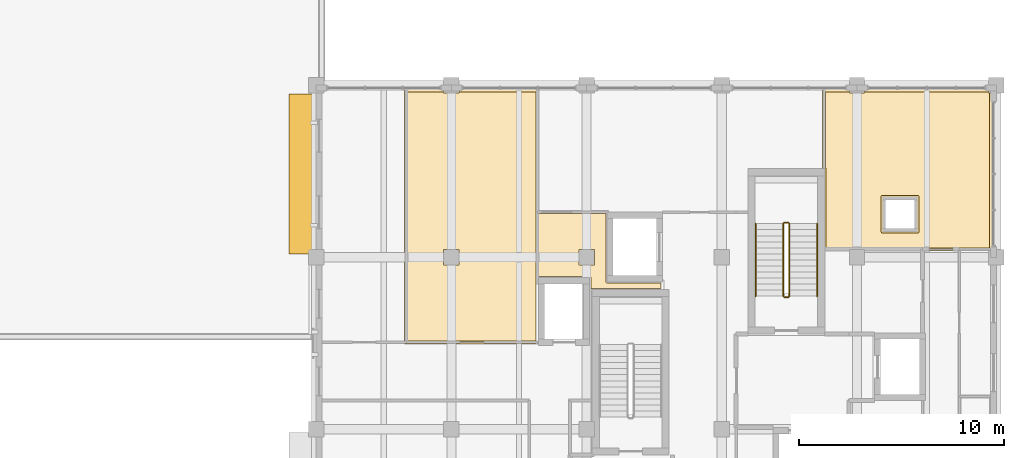
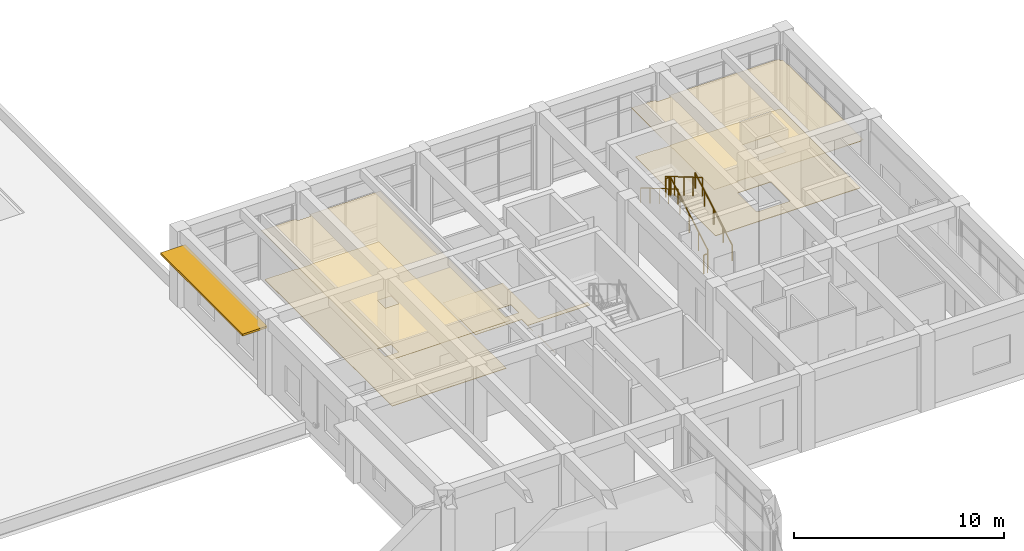
# One storey, part 50 of 50: 6 railings, 5 coverings, 1 shading device.
"""IFC4 building model written with IfcOpenShell, lengths in metres."""

from ifc_helpers import new_model, si_unit, direction, frame, origin, origin_2d, place, context, subcontext, project, spatial, polyline, rectangle, circle, outline, extrude, material, layer, layer_set, type_object, element, save


model = new_model("IFC4")

# Units and contexts
model_context = context("Model", 3, precision=1e-05, world=origin(), true_north=direction((0.0, 1.0)))
body_context = subcontext(model_context, "Body", "Model", "MODEL_VIEW")
ifc_project = project(units=[si_unit("LENGTHUNIT", "METRE"), si_unit("AREAUNIT", "SQUARE_METRE"), si_unit("VOLUMEUNIT", "CUBIC_METRE"), si_unit("PLANEANGLEUNIT", "RADIAN"), si_unit("MASSUNIT", "GRAM", prefix="KILO")], contexts=[model_context])

# Site, building, storey
site_placement = place(None, origin())
site = spatial("IfcSite", under=ifc_project, at=site_placement, CompositionType="ELEMENT")
building_placement = place(site_placement, origin())
building = spatial("IfcBuilding", under=site, at=building_placement, Name="Kolvaren Faculty of Natural Sciences", CompositionType="ELEMENT")
storey_placement = place(building_placement, frame((0.0, 0.0, 15.0)))
storey = spatial("IfcBuildingStorey", under=building, at=storey_placement, Name="L03", CompositionType="ELEMENT", Elevation=15.0)

# Coverings
ifc_material_1 = material(Name="Perforated mineral-fibre acoustic suspended ceiling tile")
ifc_layer_1 = layer(ifc_material_1, 0.02490234375)
ifc_layer_set_1 = layer_set([ifc_layer_1], Name="Perforated mineral-fibre acoustic suspended ceiling tile")
covering_type_1 = type_object("IfcCoveringType", Name="AcousticSuspendedCeiling_25", PredefinedType="CEILING", material=ifc_layer_set_1)
covering_1_placement = place(storey_placement, frame((0.0, 0.0, 2.824951171875)))
element("IfcCovering", 1, at=covering_1_placement, inside=storey, type_object=covering_type_1, Name="L03 L03 Quantitative Modelling Office acoustic ceiling", PredefinedType="CEILING", context=body_context, shape_type="SweptSolid", body=[
    extrude(outline(polyline([(145.02490234375, 83.97998046875), (145.02490234375, 83.824951171875), (145.77490234375, 83.824951171875), (145.77490234375, 83.97998046875), (149.679931640625, 83.97998046875), (149.679931640625, 71.570068359375), (143.1201171875, 71.570068359375), (143.1201171875, 83.97998046875), (145.02490234375, 83.97998046875)]), holes=[polyline([(145.02490234375, 76.175048828125), (145.02490234375, 75.425048828125), (145.77490234375, 75.425048828125), (145.77490234375, 76.175048828125), (145.02490234375, 76.175048828125)])]), origin(), (0.0, 0.0, 1.0), 0.025146484375),
])
covering_2_placement = place(storey_placement, frame((0.0, 0.0, 2.824951171875)))
element("IfcCovering", 2, at=covering_2_placement, inside=storey, type_object=covering_type_1, Name="L03 L03 Senior Researcher Office acoustic ceiling", PredefinedType="CEILING", context=body_context, shape_type="SweptSolid", body=[
    extrude(outline(polyline([(163.544921875, 80.044921875), (163.52001953125, 80.044921875), (163.52001953125, 83.97998046875), (164.824951171875, 83.97998046875), (164.824951171875, 83.824951171875), (165.574951171875, 83.824951171875), (165.574951171875, 83.97998046875), (171.625, 83.97998046875), (171.625, 83.824951171875), (171.780029296875, 83.824951171875), (171.780029296875, 76.175048828125), (171.625, 76.175048828125), (171.625, 76.1201171875), (165.574951171875, 76.1201171875), (165.574951171875, 76.175048828125), (164.824951171875, 76.175048828125), (164.824951171875, 76.1201171875), (163.544921875, 76.1201171875), (163.544921875, 80.044921875)]), holes=[polyline([(166.52001953125, 78.679931640625), (166.52001953125, 77.1201171875), (168.080078125, 77.1201171875), (168.080078125, 78.679931640625), (166.52001953125, 78.679931640625)])]), origin(), (0.0, 0.0, 1.0), 0.025146484375),
])

# Shading device
ifc_material_2 = material(Name="Precast concrete C35/45", Category="concrete")
ifc_layer_2 = layer(ifc_material_2, 0.1201171875)
ifc_layer_set_2 = layer_set([ifc_layer_2], Name="Precast concrete C35/45")
shading_device_type = type_object("IfcShadingDeviceType", Name="ChhajjaSolarHood_1350", PredefinedType="AWNING", material=ifc_layer_set_2)
shading_device_placement = place(storey_placement, frame((138.14501953125, 79.860107421875, 3.544921875), z_axis=(0.0, 0.0, 1.0), x_axis=(0.0, 1.0, 0.0)))
element("IfcShadingDevice", 3, at=shading_device_placement, inside=storey, type_object=shading_device_type, Name="L03 precast sandstone chhajja solar hood 117", PredefinedType="AWNING", context=body_context, shape_type="SweptSolid", body=[
    extrude(rectangle(XDim=7.820068359375, YDim=1.35009765625, at=origin_2d()), origin(), (0.0, 0.0, 1.0), 0.1201171875),
])

# Covering
ifc_material_3 = material(Name="Seamless chemical-resistant laboratory epoxy resin flooring")
ifc_layer_3 = layer(ifc_material_3, 0.02001953125)
ifc_layer_set_3 = layer_set([ifc_layer_3], Name="Seamless chemical-resistant laboratory epoxy resin flooring")
covering_type_2 = type_object("IfcCoveringType", Name="LabEpoxyFloorFinish_20", PredefinedType="FLOORING", material=ifc_layer_set_3)
covering_3_placement = place(storey_placement, origin())
element("IfcCovering", 4, at=covering_3_placement, inside=storey, type_object=covering_type_2, Name="L03 L03 Interdisciplinary Research Laboratory 37 floor finish", PredefinedType="FLOORING", context=body_context, shape_type="SweptSolid", body=[
    extrude(outline(polyline([(149.659912109375, 77.93994140625), (152.93994140625, 77.93994140625), (152.93994140625, 74.60009765625), (152.940185546875, 74.593994140625), (152.941162109375, 74.58837890625), (152.942626953125, 74.58251953125), (152.944580078125, 74.576904296875), (152.947021484375, 74.57177734375), (152.9501953125, 74.566650390625), (152.95361328125, 74.56201171875), (152.95751953125, 74.5576171875), (152.9619140625, 74.5537109375), (152.966796875, 74.550048828125), (152.9716796875, 74.547119140625), (152.97705078125, 74.544677734375), (152.982666015625, 74.54248046875), (152.98828125, 74.541259765625), (152.994140625, 74.540283203125), (153.0, 74.5400390625), (155.639892578125, 74.5400390625), (155.639892578125, 74.284912109375), (152.27490234375, 74.284912109375), (152.26904296875, 74.28466796875), (152.26318359375, 74.28369140625), (152.257568359375, 74.282470703125), (152.251953125, 74.280517578125), (152.24658203125, 74.27783203125), (152.24169921875, 74.27490234375), (152.23681640625, 74.271484375), (152.232666015625, 74.267333984375), (152.228515625, 74.26318359375), (152.22509765625, 74.25830078125), (152.22216796875, 74.25341796875), (152.219482421875, 74.248046875), (152.217529296875, 74.242431640625), (152.21630859375, 74.23681640625), (152.21533203125, 74.23095703125), (152.215087890625, 74.22509765625), (152.215087890625, 71.7099609375), (152.2099609375, 71.7099609375), (152.2099609375, 74.800048828125), (152.209716796875, 74.805908203125), (152.208740234375, 74.811767578125), (152.20751953125, 74.8173828125), (152.205322265625, 74.822998046875), (152.202880859375, 74.828369140625), (152.199951171875, 74.833251953125), (152.1962890625, 74.838134765625), (152.1923828125, 74.84228515625), (152.18798828125, 74.846435546875), (152.183349609375, 74.849853515625), (152.17822265625, 74.852783203125), (152.173095703125, 74.85546875), (152.16748046875, 74.857421875), (152.16162109375, 74.85888671875), (152.156005859375, 74.859619140625), (152.14990234375, 74.860107421875), (149.659912109375, 74.860107421875), (149.659912109375, 77.93994140625)]), holes=[polyline([(151.625, 75.425048828125), (152.375, 75.425048828125), (152.375, 76.175048828125), (151.625, 76.175048828125), (151.625, 75.425048828125)])]), origin(), (0.0, 0.0, 1.0), 0.02001953125),
])

# Railings
ifc_material_4 = material(Name="Structural steel EN 10210-1 S355J2H", Category="steel")
ifc_layer_4 = layer(ifc_material_4, 0.048095703125)
ifc_layer_set_4 = layer_set([ifc_layer_4], Name="Structural steel EN 10210-1 S355J2H")
railing_type_1 = type_object("IfcRailingType", Name="StairPitchHandrail_920", PredefinedType="HANDRAIL", material=ifc_layer_set_4)
railing_1_placement = place(storey_placement, frame((163.25, 73.89990234375, 0.173095703125)))
element("IfcRailing", 5, at=railing_1_placement, inside=storey, type_object=railing_type_1, Name="L03 ST-1 stair handrail 1", PredefinedType="HANDRAIL", context=body_context, shape_type="SweptSolid", body=[
    extrude(circle(Radius=0.02392578125, at=origin_2d()), frame((0.0, 0.0, 0.8759765625), z_axis=(0.0, 0.862516251723, 0.506029362304), x_axis=(-1.0, 0.0, 0.0)), (0.0, 0.0, 1.0), 4.104248046875),
    extrude(circle(Radius=0.02099609375, at=origin_2d()), origin(), (0.0, 0.0, 1.0), 0.851806640625),
    extrude(circle(Radius=0.02099609375, at=origin_2d()), frame((0.0, 0.885009765625, 0.519287109375)), (0.0, 0.0, 1.0), 0.851806640625),
    extrude(circle(Radius=0.02099609375, at=origin_2d()), frame((0.0, 1.77001953125, 1.03857421875)), (0.0, 0.0, 1.0), 0.851806640625),
    extrude(circle(Radius=0.02099609375, at=origin_2d()), frame((0.0, 2.655029296875, 1.5576171875)), (0.0, 0.0, 1.0), 0.851806640625),
    extrude(circle(Radius=0.02099609375, at=origin_2d()), frame((0.0, 3.5400390625, 2.076904296875)), (0.0, 0.0, 1.0), 0.851806640625),
])
railing_2_placement = place(storey_placement, frame((160.25, 77.43994140625, 2.423095703125)))
element("IfcRailing", 6, at=railing_2_placement, inside=storey, type_object=railing_type_1, Name="L03 ST-1 stair handrail 2", PredefinedType="HANDRAIL", context=body_context, shape_type="SweptSolid", body=[
    extrude(circle(Radius=0.02392578125, at=origin_2d()), frame((0.0, 0.0, 0.8759765625), z_axis=(0.0, -0.862516251723, 0.506029362304), x_axis=(1.0, 0.0, 0.0)), (0.0, 0.0, 1.0), 4.104248046875),
    extrude(circle(Radius=0.02099609375, at=origin_2d()), origin(), (0.0, 0.0, 1.0), 0.851806640625),
    extrude(circle(Radius=0.02099609375, at=origin_2d()), frame((0.0, -0.885009765625, 0.519287109375)), (0.0, 0.0, 1.0), 0.851806640625),
    extrude(circle(Radius=0.02099609375, at=origin_2d()), frame((0.0, -1.77001953125, 1.03857421875)), (0.0, 0.0, 1.0), 0.851806640625),
    extrude(circle(Radius=0.02099609375, at=origin_2d()), frame((0.0, -2.655029296875, 1.5576171875)), (0.0, 0.0, 1.0), 0.851806640625),
    extrude(circle(Radius=0.02099609375, at=origin_2d()), frame((0.0, -3.5400390625, 2.076904296875)), (0.0, 0.0, 1.0), 0.851806640625),
])
ifc_layer_5 = layer(ifc_material_4, 0.048095703125)
ifc_layer_set_5 = layer_set([ifc_layer_5], Name="Structural steel EN 10210-1 S355J2H")
railing_type_2 = type_object("IfcRailingType", Name="StairWellGuard_1100", PredefinedType="BALUSTRADE", material=ifc_layer_set_5)
railing_3_placement = place(storey_placement, frame((161.89990234375, 73.89990234375, 0.173095703125)))
element("IfcRailing", 7, at=railing_3_placement, inside=storey, type_object=railing_type_2, Name="L03 ST-1 stair guard 1", PredefinedType="BALUSTRADE", context=body_context, shape_type="SweptSolid", body=[
    extrude(circle(Radius=0.02392578125, at=origin_2d()), frame((0.0, 0.0, 1.076171875), z_axis=(0.0, 0.862516251723, 0.506029362304), x_axis=(-1.0, 0.0, 0.0)), (0.0, 0.0, 1.0), 4.104248046875),
    extrude(circle(Radius=0.02099609375, at=origin_2d()), origin(), (0.0, 0.0, 1.0), 1.052001953125),
    extrude(circle(Radius=0.02099609375, at=origin_2d()), frame((0.0, 0.885009765625, 0.519287109375)), (0.0, 0.0, 1.0), 1.052001953125),
    extrude(circle(Radius=0.02099609375, at=origin_2d()), frame((0.0, 1.77001953125, 1.03857421875)), (0.0, 0.0, 1.0), 1.052001953125),
    extrude(circle(Radius=0.02099609375, at=origin_2d()), frame((0.0, 2.655029296875, 1.5576171875)), (0.0, 0.0, 1.0), 1.052001953125),
    extrude(circle(Radius=0.02099609375, at=origin_2d()), frame((0.0, 3.5400390625, 2.076904296875)), (0.0, 0.0, 1.0), 1.052001953125),
])
railing_4_placement = place(storey_placement, frame((161.85009765625, 77.489990234375, 2.25)))
element("IfcRailing", 8, at=railing_4_placement, inside=storey, type_object=railing_type_2, Name="L03 ST-1 stair guard 2", PredefinedType="BALUSTRADE", context=body_context, shape_type="SweptSolid", body=[
    extrude(circle(Radius=0.02392578125, at=origin_2d()), frame((0.0, 0.0, 1.076171875), z_axis=(-1.0, 0.0, 0.0), x_axis=(0.0, -1.0, 0.0)), (0.0, 0.0, 1.0), 0.2001953125),
    extrude(circle(Radius=0.02099609375, at=origin_2d()), origin(), (0.0, 0.0, 1.0), 1.052001953125),
    extrude(circle(Radius=0.02099609375, at=origin_2d()), frame((-0.2001953125, 0.0, 0.0)), (0.0, 0.0, 1.0), 1.052001953125),
])
railing_5_placement = place(storey_placement, frame((161.60009765625, 77.43994140625, 2.423095703125)))
element("IfcRailing", 9, at=railing_5_placement, inside=storey, type_object=railing_type_2, Name="L03 ST-1 stair guard 3", PredefinedType="BALUSTRADE", context=body_context, shape_type="SweptSolid", body=[
    extrude(circle(Radius=0.02392578125, at=origin_2d()), frame((0.0, 0.0, 1.076171875), z_axis=(0.0, -0.862516251723, 0.506029362304), x_axis=(1.0, 0.0, 0.0)), (0.0, 0.0, 1.0), 4.104248046875),
    extrude(circle(Radius=0.02099609375, at=origin_2d()), origin(), (0.0, 0.0, 1.0), 1.052001953125),
    extrude(circle(Radius=0.02099609375, at=origin_2d()), frame((0.0, -0.885009765625, 0.519287109375)), (0.0, 0.0, 1.0), 1.052001953125),
    extrude(circle(Radius=0.02099609375, at=origin_2d()), frame((0.0, -1.77001953125, 1.03857421875)), (0.0, 0.0, 1.0), 1.052001953125),
    extrude(circle(Radius=0.02099609375, at=origin_2d()), frame((0.0, -2.655029296875, 1.5576171875)), (0.0, 0.0, 1.0), 1.052001953125),
    extrude(circle(Radius=0.02099609375, at=origin_2d()), frame((0.0, -3.5400390625, 2.076904296875)), (0.0, 0.0, 1.0), 1.052001953125),
])
railing_6_placement = place(storey_placement, frame((161.85009765625, 73.85009765625, 0.0)))
element("IfcRailing", 10, at=railing_6_placement, inside=storey, type_object=railing_type_2, Name="L03 ST-1 stair guard 4", PredefinedType="BALUSTRADE", context=body_context, shape_type="SweptSolid", body=[
    extrude(circle(Radius=0.02392578125, at=origin_2d()), frame((0.0, 0.0, 1.076171875), z_axis=(-1.0, 0.0, 0.0), x_axis=(0.0, -1.0, 0.0)), (0.0, 0.0, 1.0), 0.2001953125),
    extrude(circle(Radius=0.02099609375, at=origin_2d()), origin(), (0.0, 0.0, 1.0), 1.052001953125),
    extrude(circle(Radius=0.02099609375, at=origin_2d()), frame((-0.2001953125, 0.0, 0.0)), (0.0, 0.0, 1.0), 1.052001953125),
])

# Coverings
ifc_material_5 = material(Name="Polished Uruguayan grey granite terrazzo flooring", Category="masonry")
ifc_layer_6 = layer(ifc_material_5, 0.030029296875)
ifc_layer_set_6 = layer_set([ifc_layer_6], Name="Polished Uruguayan grey granite terrazzo flooring")
covering_type_3 = type_object("IfcCoveringType", Name="TerrazzoFloorFinish_30", PredefinedType="FLOORING", material=ifc_layer_set_6)
covering_4_placement = place(storey_placement, origin())
element("IfcCovering", 11, at=covering_4_placement, inside=storey, type_object=covering_type_3, Name="L03 L03 Quantitative Modelling Office floor finish", PredefinedType="FLOORING", context=body_context, shape_type="SweptSolid", body=[
    extrude(outline(polyline([(143.260009765625, 83.860107421875), (145.02490234375, 83.860107421875), (145.02490234375, 83.824951171875), (145.77490234375, 83.824951171875), (145.77490234375, 83.860107421875), (149.5400390625, 83.860107421875), (149.5400390625, 71.7099609375), (143.260009765625, 71.7099609375), (143.260009765625, 83.860107421875)]), holes=[polyline([(145.02490234375, 76.175048828125), (145.02490234375, 75.425048828125), (145.77490234375, 75.425048828125), (145.77490234375, 76.175048828125), (145.02490234375, 76.175048828125)])]), origin(), (0.0, 0.0, 1.0), 0.030029296875),
])
covering_5_placement = place(storey_placement, origin())
element("IfcCovering", 12, at=covering_5_placement, inside=storey, type_object=covering_type_3, Name="L03 L03 Senior Researcher Office floor finish", PredefinedType="FLOORING", context=body_context, shape_type="SweptSolid", body=[
    extrude(outline(polyline([(163.659912109375, 83.860107421875), (164.824951171875, 83.860107421875), (164.824951171875, 83.824951171875), (165.574951171875, 83.824951171875), (165.574951171875, 83.860107421875), (171.625, 83.860107421875), (171.625, 83.824951171875), (171.659912109375, 83.824951171875), (171.659912109375, 76.260009765625), (163.68505859375, 76.260009765625), (163.68505859375, 80.125), (163.684814453125, 80.130859375), (163.683837890625, 80.13671875), (163.682373046875, 80.142333984375), (163.680419921875, 80.14794921875), (163.677978515625, 80.1533203125), (163.6748046875, 80.158203125), (163.67138671875, 80.1630859375), (163.66748046875, 80.16748046875), (163.6630859375, 80.17138671875), (163.659912109375, 80.173583984375), (163.659912109375, 83.860107421875)]), holes=[polyline([(168.166015625, 76.980224609375), (168.171630859375, 76.981201171875), (168.177490234375, 76.982666015625), (168.18310546875, 76.984619140625), (168.188232421875, 76.987060546875), (168.193359375, 76.989990234375), (168.197998046875, 76.99365234375), (168.202392578125, 76.99755859375), (168.206298828125, 77.001953125), (168.2099609375, 77.006591796875), (168.212890625, 77.01171875), (168.21533203125, 77.01708984375), (168.21728515625, 77.022705078125), (168.21875, 77.0283203125), (168.2197265625, 77.0341796875), (168.219970703125, 77.0400390625), (168.219970703125, 78.760009765625), (168.2197265625, 78.765869140625), (168.21875, 78.771728515625), (168.21728515625, 78.77734375), (168.21533203125, 78.782958984375), (168.212890625, 78.788330078125), (168.2099609375, 78.793212890625), (168.206298828125, 78.798095703125), (168.202392578125, 78.802490234375), (168.197998046875, 78.806396484375), (168.193359375, 78.809814453125), (168.188232421875, 78.81298828125), (168.18310546875, 78.8154296875), (168.177490234375, 78.8173828125), (168.171630859375, 78.81884765625), (168.166015625, 78.819580078125), (168.159912109375, 78.820068359375), (166.43994140625, 78.820068359375), (166.43408203125, 78.819580078125), (166.42822265625, 78.81884765625), (166.422607421875, 78.8173828125), (166.4169921875, 78.8154296875), (166.41162109375, 78.81298828125), (166.40673828125, 78.809814453125), (166.40185546875, 78.806396484375), (166.397705078125, 78.802490234375), (166.3935546875, 78.798095703125), (166.39013671875, 78.793212890625), (166.38720703125, 78.788330078125), (166.384521484375, 78.782958984375), (166.382568359375, 78.77734375), (166.381103515625, 78.771728515625), (166.38037109375, 78.765869140625), (166.3798828125, 78.760009765625), (166.3798828125, 77.0400390625), (166.38037109375, 77.0341796875), (166.381103515625, 77.0283203125), (166.382568359375, 77.022705078125), (166.384521484375, 77.01708984375), (166.38720703125, 77.01171875), (166.39013671875, 77.006591796875), (166.3935546875, 77.001953125), (166.397705078125, 76.99755859375), (166.40185546875, 76.99365234375), (166.40673828125, 76.989990234375), (166.41162109375, 76.987060546875), (166.4169921875, 76.984619140625), (166.422607421875, 76.982666015625), (166.42822265625, 76.981201171875), (166.43408203125, 76.980224609375), (166.43994140625, 76.97998046875), (168.159912109375, 76.97998046875), (168.166015625, 76.980224609375)])]), origin(), (0.0, 0.0, 1.0), 0.030029296875),
])

save(model, "model.ifc")
